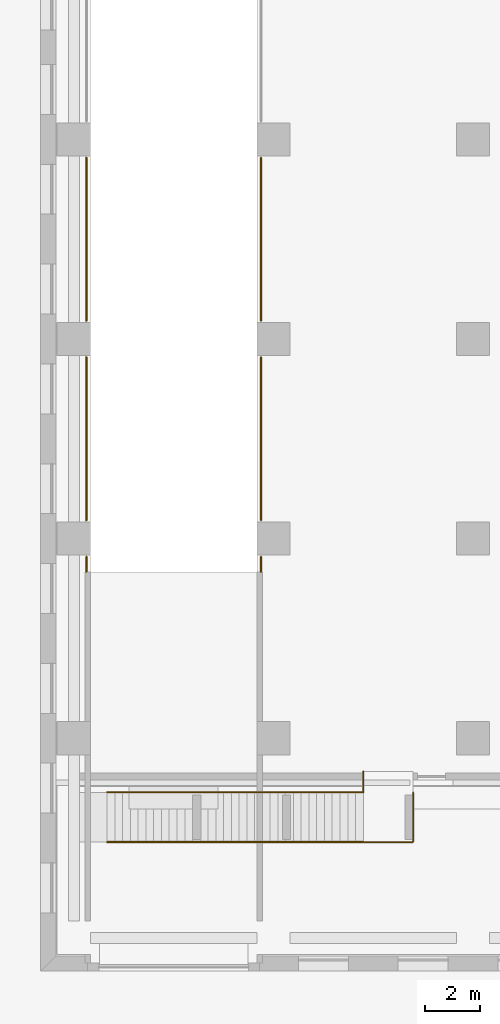
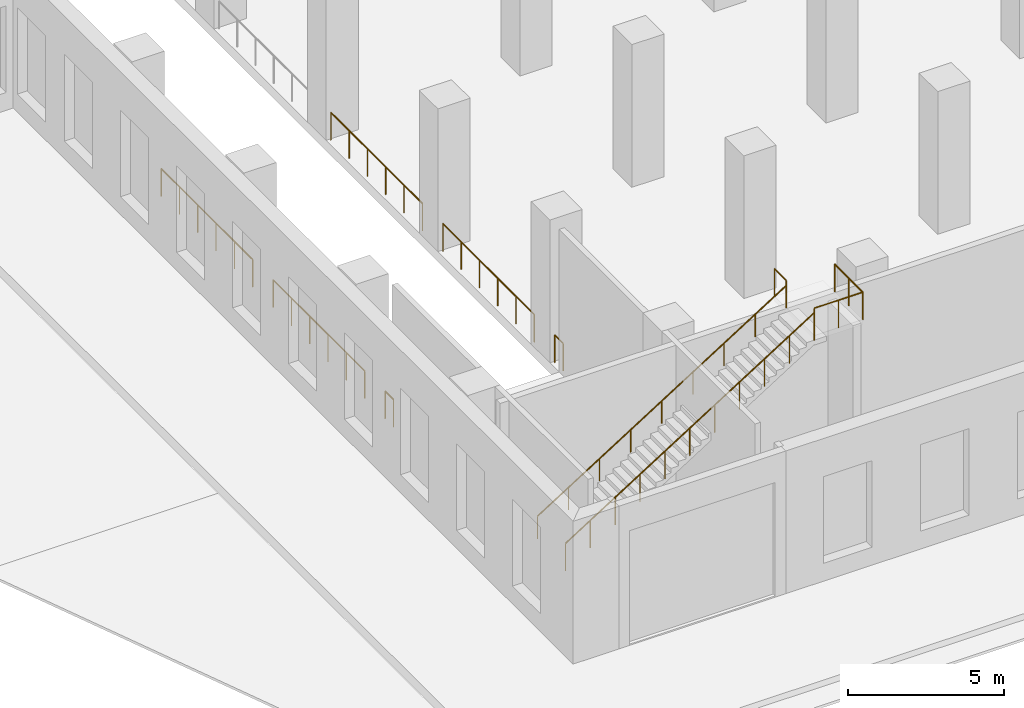
# One storey, part 11 of 15: 10 railings.
"""IFC4 building model written with IfcOpenShell, lengths in metres."""

from ifc_helpers import new_model, si_unit, direction, frame, origin, origin_2d, place, context, subcontext, project, spatial, circle, extrude, material, type_object, element, save


model = new_model("IFC4")

# Units and contexts
model_context = context("Model", 3, precision=1e-05, world=origin(), true_north=direction((0.0, 1.0)))
body_context = subcontext(model_context, "Body", "Model", "MODEL_VIEW")
ifc_project = project(units=[si_unit("LENGTHUNIT", "METRE"), si_unit("AREAUNIT", "SQUARE_METRE"), si_unit("VOLUMEUNIT", "CUBIC_METRE"), si_unit("PLANEANGLEUNIT", "RADIAN"), si_unit("MASSUNIT", "GRAM", prefix="KILO")], contexts=[model_context])

# Site, building, storey
site_placement = place(None, origin())
site = spatial("IfcSite", under=ifc_project, at=site_placement, CompositionType="ELEMENT")
building_placement = place(site_placement, origin())
building = spatial("IfcBuilding", under=site, at=building_placement, Name="Windrow Commons", CompositionType="ELEMENT")
storey_placement = place(building_placement, origin())
storey = spatial("IfcBuildingStorey", under=building, at=storey_placement, Name="L00", CompositionType="ELEMENT", Elevation=0.0)

# Railings
ifc_material_1 = material(Name="Steel S355", Category="steel")
railing_type_1 = type_object("IfcRailingType", Name="CP-GUARD-1100", PredefinedType="GUARDRAIL", material=ifc_material_1)
railing_1_placement = place(storey_placement, frame((14.85, 20.4, 0.0)))
element("IfcRailing", 1, at=railing_1_placement, inside=storey, type_object=railing_type_1, Name="Ramp guard W1", PredefinedType="GUARDRAIL", context=body_context, shape_type="SweptSolid", body=[
    extrude(circle(Radius=0.025, at=origin_2d()), frame((0.0, 0.0, 1.075), z_axis=(0.0, 1.0, 0.0), x_axis=(-1.0, 0.0, 0.0)), (0.0, 0.0, 1.0), 0.54),
    extrude(circle(Radius=0.02, at=origin_2d()), origin(), (0.0, 0.0, 1.0), 1.05),
    extrude(circle(Radius=0.02, at=origin_2d()), frame((0.0, 0.54, 0.0)), (0.0, 0.0, 1.0), 1.05),
])
for number, where, name in (
    (2, (14.85, 22.26, 0.0), "Ramp guard W2"),
    (3, (14.85, 29.46, 0.0), "Ramp guard W3"),
):
    element("IfcRailing", number, at=place(storey_placement, frame(where)), inside=storey, type_object=railing_type_1, Name=name, PredefinedType="GUARDRAIL", context=body_context, shape_type="SweptSolid", body=[
        extrude(circle(Radius=0.025, at=origin_2d()), frame((0.0, 0.0, 1.075), z_axis=(0.0, 1.0, 0.0), x_axis=(-1.0, 0.0, 0.0)), (0.0, 0.0, 1.0), 5.88),
        extrude(circle(Radius=0.02, at=origin_2d()), origin(), (0.0, 0.0, 1.0), 1.05),
        extrude(circle(Radius=0.02, at=origin_2d()), frame((0.0, 1.176, 0.0)), (0.0, 0.0, 1.0), 1.05),
        extrude(circle(Radius=0.02, at=origin_2d()), frame((0.0, 2.352, 0.0)), (0.0, 0.0, 1.0), 1.05),
        extrude(circle(Radius=0.02, at=origin_2d()), frame((0.0, 3.528, 0.0)), (0.0, 0.0, 1.0), 1.05),
        extrude(circle(Radius=0.02, at=origin_2d()), frame((0.0, 4.704, 0.0)), (0.0, 0.0, 1.0), 1.05),
        extrude(circle(Radius=0.02, at=origin_2d()), frame((0.0, 5.88, 0.0)), (0.0, 0.0, 1.0), 1.05),
    ])
railing_2_placement = place(storey_placement, frame((21.15, 20.4, 0.0)))
element("IfcRailing", 4, at=railing_2_placement, inside=storey, type_object=railing_type_1, Name="Ramp guard E1", PredefinedType="GUARDRAIL", context=body_context, shape_type="SweptSolid", body=[
    extrude(circle(Radius=0.025, at=origin_2d()), frame((0.0, 0.0, 1.075), z_axis=(0.0, 1.0, 0.0), x_axis=(-1.0, 0.0, 0.0)), (0.0, 0.0, 1.0), 0.54),
    extrude(circle(Radius=0.02, at=origin_2d()), origin(), (0.0, 0.0, 1.0), 1.05),
    extrude(circle(Radius=0.02, at=origin_2d()), frame((0.0, 0.54, 0.0)), (0.0, 0.0, 1.0), 1.05),
])
for number, where, name in (
    (5, (21.15, 22.26, 0.0), "Ramp guard E2"),
    (6, (21.15, 29.46, 0.0), "Ramp guard E3"),
):
    element("IfcRailing", number, at=place(storey_placement, frame(where)), inside=storey, type_object=railing_type_1, Name=name, PredefinedType="GUARDRAIL", context=body_context, shape_type="SweptSolid", body=[
        extrude(circle(Radius=0.025, at=origin_2d()), frame((0.0, 0.0, 1.075), z_axis=(0.0, 1.0, 0.0), x_axis=(-1.0, 0.0, 0.0)), (0.0, 0.0, 1.0), 5.88),
        extrude(circle(Radius=0.02, at=origin_2d()), origin(), (0.0, 0.0, 1.0), 1.05),
        extrude(circle(Radius=0.02, at=origin_2d()), frame((0.0, 1.176, 0.0)), (0.0, 0.0, 1.0), 1.05),
        extrude(circle(Radius=0.02, at=origin_2d()), frame((0.0, 2.352, 0.0)), (0.0, 0.0, 1.0), 1.05),
        extrude(circle(Radius=0.02, at=origin_2d()), frame((0.0, 3.528, 0.0)), (0.0, 0.0, 1.0), 1.05),
        extrude(circle(Radius=0.02, at=origin_2d()), frame((0.0, 4.704, 0.0)), (0.0, 0.0, 1.0), 1.05),
        extrude(circle(Radius=0.02, at=origin_2d()), frame((0.0, 5.88, 0.0)), (0.0, 0.0, 1.0), 1.05),
    ])
ifc_material_2 = material(Name="Stainless steel S316 balustrade with toughened glass infill", Category="steel")
railing_type_2 = type_object("IfcRailingType", Name="Terrace guard 1100", PredefinedType="BALUSTRADE", material=ifc_material_2)
railing_3_placement = place(storey_placement, frame((15.6, 10.65, 0.0)))
element("IfcRailing", 7, at=railing_3_placement, inside=storey, type_object=railing_type_2, Name="Public stair guard L00.1", PredefinedType="BALUSTRADE", context=body_context, shape_type="SweptSolid", body=[
    extrude(circle(Radius=0.025, at=origin_2d()), frame((0.0, 0.0, 1.075), z_axis=(0.8459965317, 0.0, 0.5331883985), x_axis=(0.0, 1.0, 0.0)), (0.0, 0.0, 1.0), 10.922),
    extrude(circle(Radius=0.02, at=origin_2d()), origin(), (0.0, 0.0, 1.0), 1.05),
    extrude(circle(Radius=0.02, at=origin_2d()), frame((0.924, 0.0, 0.5824)), (0.0, 0.0, 1.0), 1.05),
    extrude(circle(Radius=0.02, at=origin_2d()), frame((1.848, 0.0, 1.1647)), (0.0, 0.0, 1.0), 1.05),
    extrude(circle(Radius=0.02, at=origin_2d()), frame((2.772, 0.0, 1.747)), (0.0, 0.0, 1.0), 1.05),
    extrude(circle(Radius=0.02, at=origin_2d()), frame((3.696, 0.0, 2.3294)), (0.0, 0.0, 1.0), 1.05),
    extrude(circle(Radius=0.02, at=origin_2d()), frame((4.62, 0.0, 2.9118)), (0.0, 0.0, 1.0), 1.05),
    extrude(circle(Radius=0.02, at=origin_2d()), frame((5.544, 0.0, 3.4941)), (0.0, 0.0, 1.0), 1.05),
    extrude(circle(Radius=0.02, at=origin_2d()), frame((6.468, 0.0, 4.0764)), (0.0, 0.0, 1.0), 1.05),
    extrude(circle(Radius=0.02, at=origin_2d()), frame((7.392, 0.0, 4.6588)), (0.0, 0.0, 1.0), 1.05),
    extrude(circle(Radius=0.02, at=origin_2d()), frame((8.316, 0.0, 5.2412)), (0.0, 0.0, 1.0), 1.05),
    extrude(circle(Radius=0.02, at=origin_2d()), frame((9.24, 0.0, 5.8235)), (0.0, 0.0, 1.0), 1.05),
])
railing_4_placement = place(storey_placement, frame((24.84, 10.65, 6.0)))
element("IfcRailing", 8, at=railing_4_placement, inside=storey, type_object=railing_type_2, Name="Public stair guard L00.2", PredefinedType="BALUSTRADE", context=body_context, shape_type="SweptSolid", body=[
    extrude(circle(Radius=0.025, at=origin_2d()), frame((0.0, 0.0, 1.075), z_axis=(1.0, 0.0, 0.0), x_axis=(0.0, 1.0, 0.0)), (0.0, 0.0, 1.0), 1.8),
    extrude(circle(Radius=0.025, at=origin_2d()), frame((1.8, 0.0, 1.075), z_axis=(0.0, 1.0, 0.0), x_axis=(-1.0, 0.0, 0.0)), (0.0, 0.0, 1.0), 1.8),
    extrude(circle(Radius=0.02, at=origin_2d()), origin(), (0.0, 0.0, 1.0), 1.05),
    extrude(circle(Radius=0.02, at=origin_2d()), frame((0.9, 0.0, 0.0)), (0.0, 0.0, 1.0), 1.05),
    extrude(circle(Radius=0.02, at=origin_2d()), frame((1.8, 0.0, 0.0)), (0.0, 0.0, 1.0), 1.05),
    extrude(circle(Radius=0.02, at=origin_2d()), frame((1.8, 0.9, 0.0)), (0.0, 0.0, 1.0), 1.05),
    extrude(circle(Radius=0.02, at=origin_2d()), frame((1.8, 1.8, 0.0)), (0.0, 0.0, 1.0), 1.05),
])
railing_5_placement = place(storey_placement, frame((24.84, 12.45, 6.0)))
element("IfcRailing", 9, at=railing_5_placement, inside=storey, type_object=railing_type_2, Name="Public stair guard L00.3", PredefinedType="BALUSTRADE", context=body_context, shape_type="SweptSolid", body=[
    extrude(circle(Radius=0.025, at=origin_2d()), frame((0.0, 0.0, 1.075), z_axis=(0.0, 1.0, 0.0), x_axis=(-1.0, 0.0, 0.0)), (0.0, 0.0, 1.0), 0.75),
    extrude(circle(Radius=0.02, at=origin_2d()), origin(), (0.0, 0.0, 1.0), 1.05),
    extrude(circle(Radius=0.02, at=origin_2d()), frame((0.0, 0.75, 0.0)), (0.0, 0.0, 1.0), 1.05),
])
ifc_material_3 = material(Name="Stainless steel S316 handrail", Category="steel")
railing_type_3 = type_object("IfcRailingType", Name="Terrace stair handrail 900", PredefinedType="HANDRAIL", material=ifc_material_3)
railing_6_placement = place(storey_placement, frame((15.6, 12.45, 0.1765)))
element("IfcRailing", 10, at=railing_6_placement, inside=storey, type_object=railing_type_3, Name="Public stair handrail L00.1", PredefinedType="HANDRAIL", context=body_context, shape_type="SweptSolid", body=[
    extrude(circle(Radius=0.025, at=origin_2d()), frame((0.0, 0.0, 0.875), z_axis=(0.8459965317, 0.0, 0.5331883985), x_axis=(0.0, 1.0, 0.0)), (0.0, 0.0, 1.0), 10.922),
    extrude(circle(Radius=0.02, at=origin_2d()), origin(), (0.0, 0.0, 1.0), 0.85),
    extrude(circle(Radius=0.02, at=origin_2d()), frame((1.155, 0.0, 0.7279)), (0.0, 0.0, 1.0), 0.85),
    extrude(circle(Radius=0.02, at=origin_2d()), frame((2.31, 0.0, 1.4559)), (0.0, 0.0, 1.0), 0.85),
    extrude(circle(Radius=0.02, at=origin_2d()), frame((3.465, 0.0, 2.1838)), (0.0, 0.0, 1.0), 0.85),
    extrude(circle(Radius=0.02, at=origin_2d()), frame((4.62, 0.0, 2.9118)), (0.0, 0.0, 1.0), 0.85),
    extrude(circle(Radius=0.02, at=origin_2d()), frame((5.775, 0.0, 3.6397)), (0.0, 0.0, 1.0), 0.85),
    extrude(circle(Radius=0.02, at=origin_2d()), frame((6.93, 0.0, 4.3676)), (0.0, 0.0, 1.0), 0.85),
    extrude(circle(Radius=0.02, at=origin_2d()), frame((8.085, 0.0, 5.0956)), (0.0, 0.0, 1.0), 0.85),
    extrude(circle(Radius=0.02, at=origin_2d()), frame((9.24, 0.0, 5.8235)), (0.0, 0.0, 1.0), 0.85),
])

save(model, "model.ifc")
